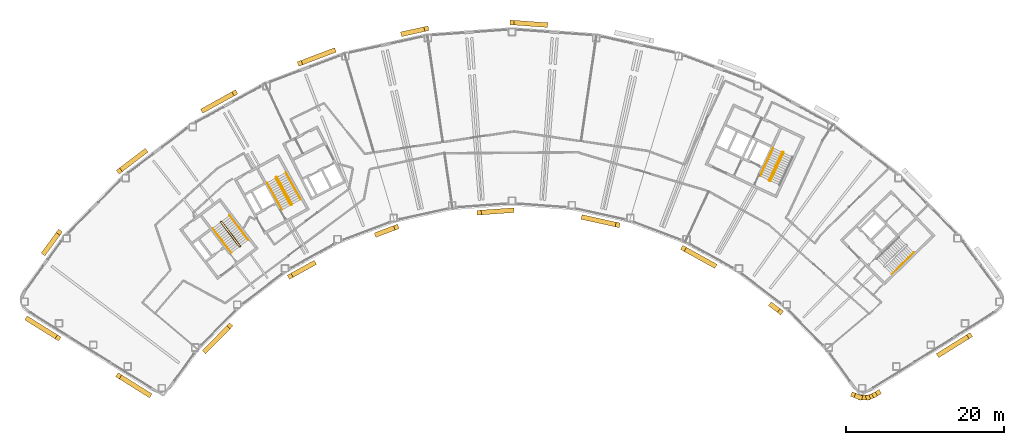
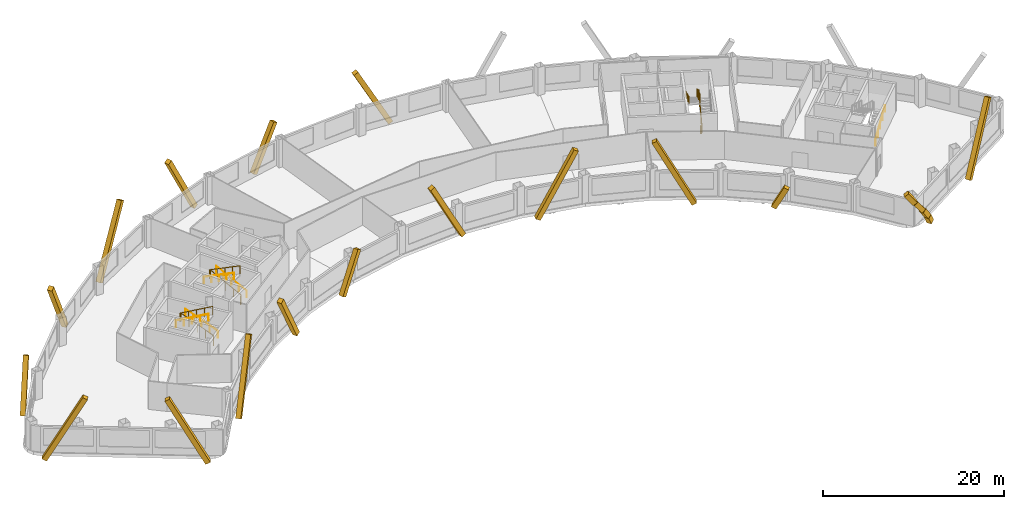
# One storey, part 11 of 12: 20 coverings, 9 railings.
"""IFC4 building model written with IfcOpenShell, lengths in metres."""

from ifc_helpers import new_model, si_unit, direction, frame, origin, origin_2d, place, context, subcontext, project, spatial, rectangle, circle, extrude, material, material_profile, profile_set, type_object, element, save


model = new_model("IFC4")

# Units and contexts
model_context = context("Model", 3, precision=1e-05, world=origin(), true_north=direction((0.0, 1.0)))
body_context = subcontext(model_context, "Body", "Model", "MODEL_VIEW")
ifc_project = project(units=[si_unit("LENGTHUNIT", "METRE"), si_unit("AREAUNIT", "SQUARE_METRE"), si_unit("VOLUMEUNIT", "CUBIC_METRE"), si_unit("PLANEANGLEUNIT", "RADIAN"), si_unit("MASSUNIT", "GRAM", prefix="KILO")], contexts=[model_context])

# Site, building, storey
site_placement = place(None, origin())
site = spatial("IfcSite", under=ifc_project, at=site_placement, CompositionType="ELEMENT")
building_placement = place(site_placement, origin())
building = spatial("IfcBuilding", under=site, at=building_placement, Name="Tuul Gate Civic Tower", CompositionType="ELEMENT")
storey_placement = place(building_placement, frame((0.0, 0.0, 172.10009765625)))
storey = spatial("IfcBuildingStorey", under=building, at=storey_placement, Name="Level 39", CompositionType="ELEMENT", Elevation=172.10009765625)

# Railings
ifc_material_1 = material(Name="Painted steel", Category="steel")
railing_type_1 = type_object("IfcRailingType", Name="Stair guard", PredefinedType="GUARDRAIL", material=ifc_material_1)
railing_1_placement = place(storey_placement, frame((-33.382080078125, -13.515380859375, 0.0)))
element("IfcRailing", 1, at=railing_1_placement, inside=storey, type_object=railing_type_1, Name="Level 39 ST-1 stair guard 1", PredefinedType="GUARDRAIL", context=body_context, shape_type="SweptSolid", body=[
    extrude(circle(Radius=0.02392578125, at=origin_2d()), frame((0.0, 0.0, 1.076171875), z_axis=(-0.795879841968, -0.605454603706, 0.0), x_axis=(0.605454603706, -0.795879841968, 0.0)), (0.0, 0.0, 1.0), 0.10009765625),
    extrude(circle(Radius=0.02392578125, at=origin_2d()), frame((-0.07958984375, -0.060546875, 1.076171875), z_axis=(0.408991890351, 0.599481263939, 0.688002796371), x_axis=(-0.826063974707, 0.563576356576, 0.0)), (0.0, 0.0, 1.0), 0.2177734375),
    extrude(circle(Radius=0.02392578125, at=origin_2d()), frame((0.009521484375, 0.070068359375, 1.22607421875), z_axis=(-0.541824460341, 0.711645023348, 0.447199748346), x_axis=(-0.795637165283, -0.60577347352, 0.0)), (0.0, 0.0, 1.0), 4.3603515625),
    extrude(circle(Radius=0.02392578125, at=origin_2d()), frame((-2.35302734375, 3.173095703125, 3.17578125), z_axis=(-0.990893089246, 0.134650977284, 0.0), x_axis=(-0.134650977284, -0.990893089246, 0.0)), (0.0, 0.0, 1.0), 0.07080078125),
    extrude(circle(Radius=0.02392578125, at=origin_2d()), frame((-2.423095703125, 3.1826171875, 3.17578125), z_axis=(-0.793802879778, -0.60817512943, 0.0), x_axis=(0.60817512943, -0.793802879778, 0.0)), (0.0, 0.0, 1.0), 0.099853515625),
    extrude(circle(Radius=0.02392578125, at=origin_2d()), frame((-2.50244140625, 3.121826171875, 3.17578125), z_axis=(-0.057370624079, -0.422188951554, 0.904690610473), x_axis=(0.990893089246, -0.134650977284, 0.0)), (0.0, 0.0, 1.0), 0.166015625),
    extrude(circle(Radius=0.02392578125, at=origin_2d()), frame((-2.511962890625, 3.0517578125, 3.326171875), z_axis=(0.541806494602, -0.71163897684, 0.447231136047), x_axis=(0.795644365679, 0.605764016233, 0.0)), (0.0, 0.0, 1.0), 4.360107421875),
    extrude(circle(Radius=0.02099609375, at=origin_2d()), origin(), (0.0, 0.0, 1.0), 1.052001953125),
    extrude(circle(Radius=0.02099609375, at=origin_2d()), frame((-0.07958984375, -0.060546875, 0.0)), (0.0, 0.0, 1.0), 1.052001953125),
    extrude(circle(Radius=0.02099609375, at=origin_2d()), frame((0.009521484375, 0.070068359375, 0.14990234375)), (0.0, 0.0, 1.0), 1.052001953125),
    extrude(circle(Radius=0.02099609375, at=origin_2d()), frame((-0.5810546875, 0.845703125, 0.637451171875)), (0.0, 0.0, 1.0), 1.052001953125),
    extrude(circle(Radius=0.02099609375, at=origin_2d()), frame((-1.171875, 1.62158203125, 1.125)), (0.0, 0.0, 1.0), 1.052001953125),
    extrude(circle(Radius=0.02099609375, at=origin_2d()), frame((-1.762451171875, 2.3974609375, 1.6123046875)), (0.0, 0.0, 1.0), 1.052001953125),
    extrude(circle(Radius=0.02099609375, at=origin_2d()), frame((-2.35302734375, 3.173095703125, 2.099853515625)), (0.0, 0.0, 1.0), 1.052001953125),
    extrude(circle(Radius=0.02099609375, at=origin_2d()), frame((-2.423095703125, 3.1826171875, 2.099853515625)), (0.0, 0.0, 1.0), 1.052001953125),
    extrude(circle(Radius=0.02099609375, at=origin_2d()), frame((-2.50244140625, 3.121826171875, 2.099853515625)), (0.0, 0.0, 1.0), 1.052001953125),
    extrude(circle(Radius=0.02099609375, at=origin_2d()), frame((-2.511962890625, 3.0517578125, 2.25)), (0.0, 0.0, 1.0), 1.052001953125),
    extrude(circle(Radius=0.02099609375, at=origin_2d()), frame((-1.92138671875, 2.276123046875, 2.737548828125)), (0.0, 0.0, 1.0), 1.052001953125),
    extrude(circle(Radius=0.02099609375, at=origin_2d()), frame((-1.330810546875, 1.50048828125, 3.22509765625)), (0.0, 0.0, 1.0), 1.052001953125),
    extrude(circle(Radius=0.02099609375, at=origin_2d()), frame((-0.740234375, 0.724609375, 3.71240234375)), (0.0, 0.0, 1.0), 1.052001953125),
    extrude(circle(Radius=0.02099609375, at=origin_2d()), frame((-0.149658203125, -0.051025390625, 4.199951171875)), (0.0, 0.0, 1.0), 1.052001953125),
])
railing_2_placement = place(storey_placement, frame((-26.857666015625, -8.247314453125, 0.0)))
element("IfcRailing", 2, at=railing_2_placement, inside=storey, type_object=railing_type_1, Name="Level 39 ST-2 stair guard 1", PredefinedType="GUARDRAIL", context=body_context, shape_type="SweptSolid", body=[
    extrude(circle(Radius=0.02392578125, at=origin_2d()), frame((0.0, 0.0, 1.076171875), z_axis=(-0.874616555828, -0.48481530532, 0.0), x_axis=(0.48481530532, -0.874616555828, 0.0)), (0.0, 0.0, 1.0), 0.10009765625),
    extrude(circle(Radius=0.02392578125, at=origin_2d()), frame((-0.087646484375, -0.048583984375, 1.076171875), z_axis=(0.49081399482, 0.534516610797, 0.688036056665), x_axis=(-0.736576986774, 0.676353711126, 0.0)), (0.0, 0.0, 1.0), 0.2177734375),
    extrude(circle(Radius=0.02392578125, at=origin_2d()), frame((0.019287109375, 0.06787109375, 1.22607421875), z_axis=(-0.43354991378, 0.782327185242, 0.447212083348), x_axis=(-0.874667644053, -0.484723129681, 0.0)), (0.0, 0.0, 1.0), 4.3603515625),
    extrude(circle(Radius=0.02392578125, at=origin_2d()), frame((-1.87109375, 3.47900390625, 3.17578125), z_axis=(-0.961263487578, 0.275631107549, 0.0), x_axis=(-0.275631107549, -0.961263487578, 0.0)), (0.0, 0.0, 1.0), 0.07080078125),
    extrude(circle(Radius=0.02392578125, at=origin_2d()), frame((-1.939208984375, 3.49853515625, 3.17578125), z_axis=(-0.874042088414, -0.485850211157, 0.0), x_axis=(0.485850211157, -0.874042088414, 0.0)), (0.0, 0.0, 1.0), 0.10009765625),
    extrude(circle(Radius=0.02392578125, at=origin_2d()), frame((-2.026611328125, 3.449951171875, 3.17578125), z_axis=(-0.117709570447, -0.409040757305, 0.904892322815), x_axis=(0.961000426733, -0.276546885391, 0.0)), (0.0, 0.0, 1.0), 0.166015625),
    extrude(circle(Radius=0.02392578125, at=origin_2d()), frame((-2.046142578125, 3.382080078125, 3.326171875), z_axis=(0.433595379963, -0.782308193291, 0.447201226726), x_axis=(0.874641102302, 0.484771020343, 0.0)), (0.0, 0.0, 1.0), 4.3603515625),
    extrude(circle(Radius=0.02099609375, at=origin_2d()), origin(), (0.0, 0.0, 1.0), 1.052001953125),
    extrude(circle(Radius=0.02099609375, at=origin_2d()), frame((-0.087646484375, -0.048583984375, 0.0)), (0.0, 0.0, 1.0), 1.052001953125),
    extrude(circle(Radius=0.02099609375, at=origin_2d()), frame((0.019287109375, 0.06787109375, 0.14990234375)), (0.0, 0.0, 1.0), 1.052001953125),
    extrude(circle(Radius=0.02099609375, at=origin_2d()), frame((-0.453369140625, 0.920654296875, 0.637451171875)), (0.0, 0.0, 1.0), 1.052001953125),
    extrude(circle(Radius=0.02099609375, at=origin_2d()), frame((-0.92578125, 1.7734375, 1.125)), (0.0, 0.0, 1.0), 1.052001953125),
    extrude(circle(Radius=0.02099609375, at=origin_2d()), frame((-1.3984375, 2.626220703125, 1.6123046875)), (0.0, 0.0, 1.0), 1.052001953125),
    extrude(circle(Radius=0.02099609375, at=origin_2d()), frame((-1.87109375, 3.47900390625, 2.099853515625)), (0.0, 0.0, 1.0), 1.052001953125),
    extrude(circle(Radius=0.02099609375, at=origin_2d()), frame((-1.939208984375, 3.49853515625, 2.099853515625)), (0.0, 0.0, 1.0), 1.052001953125),
    extrude(circle(Radius=0.02099609375, at=origin_2d()), frame((-2.026611328125, 3.449951171875, 2.099853515625)), (0.0, 0.0, 1.0), 1.052001953125),
    extrude(circle(Radius=0.02099609375, at=origin_2d()), frame((-2.046142578125, 3.382080078125, 2.25)), (0.0, 0.0, 1.0), 1.052001953125),
    extrude(circle(Radius=0.02099609375, at=origin_2d()), frame((-1.573486328125, 2.529296875, 2.737548828125)), (0.0, 0.0, 1.0), 1.052001953125),
    extrude(circle(Radius=0.02099609375, at=origin_2d()), frame((-1.100830078125, 1.676513671875, 3.22509765625)), (0.0, 0.0, 1.0), 1.052001953125),
    extrude(circle(Radius=0.02099609375, at=origin_2d()), frame((-0.628173828125, 0.82373046875, 3.71240234375)), (0.0, 0.0, 1.0), 1.052001953125),
    extrude(circle(Radius=0.02099609375, at=origin_2d()), frame((-0.155517578125, -0.029052734375, 4.199951171875)), (0.0, 0.0, 1.0), 1.052001953125),
])
railing_3_placement = place(storey_placement, frame((33.645751953125, -5.238525390625, 0.0)))
element("IfcRailing", 3, at=railing_3_placement, inside=storey, type_object=railing_type_1, Name="Level 39 ST-4 stair guard 1", PredefinedType="GUARDRAIL", context=body_context, shape_type="SweptSolid", body=[
    extrude(circle(Radius=0.02392578125, at=origin_2d()), frame((0.0, 0.0, 1.076171875), z_axis=(-0.906307919131, 0.422617978463, 0.0), x_axis=(-0.422617978463, -0.906307919131, 0.0)), (0.0, 0.0, 1.0), 0.099853515625),
    extrude(circle(Radius=0.02392578125, at=origin_2d()), frame((-0.090576171875, 0.042236328125, 1.076171875), z_axis=(0.720735628292, -0.082946246491, 0.688229666829), x_axis=(0.114330889033, 0.993442724979, 0.0)), (0.0, 0.0, 1.0), 0.2177734375),
    extrude(circle(Radius=0.02392578125, at=origin_2d()), frame((0.06640625, 0.024169921875, 1.22607421875), z_axis=(0.377946903738, 0.810654114417, 0.447209173356), x_axis=(-0.906336612539, 0.422556439746, 0.0)), (0.0, 0.0, 1.0), 4.3603515625),
    extrude(circle(Radius=0.02392578125, at=origin_2d()), frame((1.71435546875, 3.558837890625, 3.17578125), z_axis=(-0.342020437038, 0.939692513883, 0.0), x_axis=(-0.939692513883, -0.342020437038, 0.0)), (0.0, 0.0, 1.0), 0.070556640625),
    extrude(circle(Radius=0.02392578125, at=origin_2d()), frame((1.690185546875, 3.625244140625, 3.17578125), z_axis=(-0.906307919131, 0.422617978463, 0.0), x_axis=(-0.422617978463, -0.906307919131, 0.0)), (0.0, 0.0, 1.0), 0.099853515625),
    extrude(circle(Radius=0.02392578125, at=origin_2d()), frame((1.599609375, 3.66748046875, 3.17578125), z_axis=(-0.400168791901, -0.145649670582, 0.904793408159), x_axis=(0.342020437038, -0.939692513883, 0.0)), (0.0, 0.0, 1.0), 0.166015625),
    extrude(circle(Radius=0.02392578125, at=origin_2d()), frame((1.533203125, 3.643310546875, 3.326171875), z_axis=(-0.377946903738, -0.810654114417, 0.447209173356), x_axis=(0.906336612539, -0.422556439746, 0.0)), (0.0, 0.0, 1.0), 4.3603515625),
    extrude(circle(Radius=0.02099609375, at=origin_2d()), origin(), (0.0, 0.0, 1.0), 1.052001953125),
    extrude(circle(Radius=0.02099609375, at=origin_2d()), frame((-0.090576171875, 0.042236328125, 0.0)), (0.0, 0.0, 1.0), 1.052001953125),
    extrude(circle(Radius=0.02099609375, at=origin_2d()), frame((0.06640625, 0.024169921875, 0.14990234375)), (0.0, 0.0, 1.0), 1.052001953125),
    extrude(circle(Radius=0.02099609375, at=origin_2d()), frame((0.478515625, 0.90771484375, 0.637451171875)), (0.0, 0.0, 1.0), 1.052001953125),
    extrude(circle(Radius=0.02099609375, at=origin_2d()), frame((0.890380859375, 1.79150390625, 1.125)), (0.0, 0.0, 1.0), 1.052001953125),
    extrude(circle(Radius=0.02099609375, at=origin_2d()), frame((1.30224609375, 2.67529296875, 1.6123046875)), (0.0, 0.0, 1.0), 1.052001953125),
    extrude(circle(Radius=0.02099609375, at=origin_2d()), frame((1.71435546875, 3.558837890625, 2.099853515625)), (0.0, 0.0, 1.0), 1.052001953125),
    extrude(circle(Radius=0.02099609375, at=origin_2d()), frame((1.690185546875, 3.625244140625, 2.099853515625)), (0.0, 0.0, 1.0), 1.052001953125),
    extrude(circle(Radius=0.02099609375, at=origin_2d()), frame((1.599609375, 3.66748046875, 2.099853515625)), (0.0, 0.0, 1.0), 1.052001953125),
    extrude(circle(Radius=0.02099609375, at=origin_2d()), frame((1.533203125, 3.643310546875, 2.25)), (0.0, 0.0, 1.0), 1.052001953125),
    extrude(circle(Radius=0.02099609375, at=origin_2d()), frame((1.12109375, 2.759765625, 2.737548828125)), (0.0, 0.0, 1.0), 1.052001953125),
    extrude(circle(Radius=0.02099609375, at=origin_2d()), frame((0.709228515625, 1.8759765625, 3.22509765625)), (0.0, 0.0, 1.0), 1.052001953125),
    extrude(circle(Radius=0.02099609375, at=origin_2d()), frame((0.29736328125, 0.9921875, 3.71240234375)), (0.0, 0.0, 1.0), 1.052001953125),
    extrude(circle(Radius=0.02099609375, at=origin_2d()), frame((-0.11474609375, 0.108642578125, 4.199951171875)), (0.0, 0.0, 1.0), 1.052001953125),
])
ifc_material_2 = material(Name="Painted steel", Category="steel")
railing_type_2 = type_object("IfcRailingType", Name="Stair handrail", PredefinedType="HANDRAIL", material=ifc_material_2)
railing_4_placement = place(storey_placement, frame((-32.3779296875, -12.688232421875, 0.14990234375)))
element("IfcRailing", 4, at=railing_4_placement, inside=storey, type_object=railing_type_2, Name="Level 39 ST-1 stair handrail 1", PredefinedType="HANDRAIL", context=body_context, shape_type="SweptSolid", body=[
    extrude(circle(Radius=0.02392578125, at=origin_2d()), frame((0.0, 0.0, 0.8759765625), z_axis=(-0.541824460341, 0.711645023348, 0.447199748346), x_axis=(-0.795637165283, -0.60577347352, 0.0)), (0.0, 0.0, 1.0), 4.3603515625),
    extrude(circle(Radius=0.02099609375, at=origin_2d()), origin(), (0.0, 0.0, 1.0), 0.851806640625),
    extrude(circle(Radius=0.02099609375, at=origin_2d()), frame((-0.590576171875, 0.77587890625, 0.487548828125)), (0.0, 0.0, 1.0), 0.851806640625),
    extrude(circle(Radius=0.02099609375, at=origin_2d()), frame((-1.18115234375, 1.551513671875, 0.97509765625)), (0.0, 0.0, 1.0), 0.851806640625),
    extrude(circle(Radius=0.02099609375, at=origin_2d()), frame((-1.77197265625, 2.3271484375, 1.46240234375)), (0.0, 0.0, 1.0), 0.851806640625),
    extrude(circle(Radius=0.02099609375, at=origin_2d()), frame((-2.362548828125, 3.10302734375, 1.949951171875)), (0.0, 0.0, 1.0), 0.851806640625),
])
railing_5_placement = place(storey_placement, frame((-36.888671875, -11.220703125, 2.25)))
element("IfcRailing", 5, at=railing_5_placement, inside=storey, type_object=railing_type_2, Name="Level 39 ST-1 stair handrail 2", PredefinedType="HANDRAIL", context=body_context, shape_type="SweptSolid", body=[
    extrude(circle(Radius=0.02392578125, at=origin_2d()), frame((0.0, 0.0, 0.8759765625), z_axis=(0.541824460341, -0.711645023348, 0.447199748346), x_axis=(0.795637165283, 0.60577347352, 0.0)), (0.0, 0.0, 1.0), 4.3603515625),
    extrude(circle(Radius=0.02099609375, at=origin_2d()), origin(), (0.0, 0.0, 1.0), 0.851806640625),
    extrude(circle(Radius=0.02099609375, at=origin_2d()), frame((0.590576171875, -0.77587890625, 0.487548828125)), (0.0, 0.0, 1.0), 0.851806640625),
    extrude(circle(Radius=0.02099609375, at=origin_2d()), frame((1.18115234375, -1.551513671875, 0.97509765625)), (0.0, 0.0, 1.0), 0.851806640625),
    extrude(circle(Radius=0.02099609375, at=origin_2d()), frame((1.77197265625, -2.3271484375, 1.46240234375)), (0.0, 0.0, 1.0), 0.851806640625),
    extrude(circle(Radius=0.02099609375, at=origin_2d()), frame((2.362548828125, -3.10302734375, 1.949951171875)), (0.0, 0.0, 1.0), 0.851806640625),
])
railing_6_placement = place(storey_placement, frame((-25.744873046875, -7.573486328125, 0.14990234375)))
element("IfcRailing", 6, at=railing_6_placement, inside=storey, type_object=railing_type_2, Name="Level 39 ST-2 stair handrail 1", PredefinedType="HANDRAIL", context=body_context, shape_type="SweptSolid", body=[
    extrude(circle(Radius=0.02392578125, at=origin_2d()), frame((0.0, 0.0, 0.8759765625), z_axis=(-0.433595379963, 0.782308193291, 0.447201226726), x_axis=(-0.874641102302, -0.484771020343, 0.0)), (0.0, 0.0, 1.0), 4.3603515625),
    extrude(circle(Radius=0.02099609375, at=origin_2d()), origin(), (0.0, 0.0, 1.0), 0.851806640625),
    extrude(circle(Radius=0.02099609375, at=origin_2d()), frame((-0.47265625, 0.852783203125, 0.487548828125)), (0.0, 0.0, 1.0), 0.851806640625),
    extrude(circle(Radius=0.02099609375, at=origin_2d()), frame((-0.9453125, 1.70556640625, 0.97509765625)), (0.0, 0.0, 1.0), 0.851806640625),
    extrude(circle(Radius=0.02099609375, at=origin_2d()), frame((-1.41796875, 2.558349609375, 1.46240234375)), (0.0, 0.0, 1.0), 0.851806640625),
    extrude(circle(Radius=0.02099609375, at=origin_2d()), frame((-1.890625, 3.4111328125, 1.949951171875)), (0.0, 0.0, 1.0), 0.851806640625),
])
railing_7_placement = place(storey_placement, frame((-29.9970703125, -5.47119140625, 2.25)))
element("IfcRailing", 7, at=railing_7_placement, inside=storey, type_object=railing_type_2, Name="Level 39 ST-2 stair handrail 2", PredefinedType="HANDRAIL", context=body_context, shape_type="SweptSolid", body=[
    extrude(circle(Radius=0.02392578125, at=origin_2d()), frame((0.0, 0.0, 0.8759765625), z_axis=(0.433595379963, -0.782308193291, 0.447201226726), x_axis=(0.874641102302, 0.484771020343, 0.0)), (0.0, 0.0, 1.0), 4.3603515625),
    extrude(circle(Radius=0.02099609375, at=origin_2d()), origin(), (0.0, 0.0, 1.0), 0.851806640625),
    extrude(circle(Radius=0.02099609375, at=origin_2d()), frame((0.47265625, -0.852783203125, 0.487548828125)), (0.0, 0.0, 1.0), 0.851806640625),
    extrude(circle(Radius=0.02099609375, at=origin_2d()), frame((0.9453125, -1.70556640625, 0.97509765625)), (0.0, 0.0, 1.0), 0.851806640625),
    extrude(circle(Radius=0.02099609375, at=origin_2d()), frame((1.41796875, -2.558349609375, 1.46240234375)), (0.0, 0.0, 1.0), 0.851806640625),
    extrude(circle(Radius=0.02099609375, at=origin_2d()), frame((1.890625, -3.4111328125, 1.949951171875)), (0.0, 0.0, 1.0), 0.851806640625),
])
railing_8_placement = place(storey_placement, frame((49.05126953125, -17.028076171875, 0.14990234375)))
element("IfcRailing", 8, at=railing_8_placement, inside=storey, type_object=railing_type_2, Name="Level 39 ST-3 stair handrail 1", PredefinedType="HANDRAIL", context=body_context, shape_type="SweptSolid", body=[
    extrude(circle(Radius=0.02392578125, at=origin_2d()), frame((0.0, 0.0, 0.8759765625), z_axis=(0.638753653487, 0.626099522554, 0.447205945863), x_axis=(-0.699997553204, 0.714145241186, 0.0)), (0.0, 0.0, 1.0), 4.3603515625),
    extrude(circle(Radius=0.02099609375, at=origin_2d()), origin(), (0.0, 0.0, 1.0), 0.851806640625),
    extrude(circle(Radius=0.02099609375, at=origin_2d()), frame((0.6962890625, 0.6826171875, 0.487548828125)), (0.0, 0.0, 1.0), 0.851806640625),
    extrude(circle(Radius=0.02099609375, at=origin_2d()), frame((1.392578125, 1.364990234375, 0.97509765625)), (0.0, 0.0, 1.0), 0.851806640625),
    extrude(circle(Radius=0.02099609375, at=origin_2d()), frame((2.0888671875, 2.04736328125, 1.46240234375)), (0.0, 0.0, 1.0), 0.851806640625),
    extrude(circle(Radius=0.02099609375, at=origin_2d()), frame((2.78515625, 2.72998046875, 1.949951171875)), (0.0, 0.0, 1.0), 0.851806640625),
])
railing_9_placement = place(storey_placement, frame((34.046142578125, -1.06689453125, 2.25)))
element("IfcRailing", 9, at=railing_9_placement, inside=storey, type_object=railing_type_2, Name="Level 39 ST-4 stair handrail 2", PredefinedType="HANDRAIL", context=body_context, shape_type="SweptSolid", body=[
    extrude(circle(Radius=0.02392578125, at=origin_2d()), frame((0.0, 0.0, 0.8759765625), z_axis=(-0.377994896215, -0.810636958585, 0.447199709091), x_axis=(0.906312636903, -0.422607861012, 0.0)), (0.0, 0.0, 1.0), 4.3603515625),
    extrude(circle(Radius=0.02099609375, at=origin_2d()), origin(), (0.0, 0.0, 1.0), 0.851806640625),
    extrude(circle(Radius=0.02099609375, at=origin_2d()), frame((-0.412109375, -0.8837890625, 0.487548828125)), (0.0, 0.0, 1.0), 0.851806640625),
    extrude(circle(Radius=0.02099609375, at=origin_2d()), frame((-0.82421875, -1.767333984375, 0.97509765625)), (0.0, 0.0, 1.0), 0.851806640625),
    extrude(circle(Radius=0.02099609375, at=origin_2d()), frame((-1.236083984375, -2.65087890625, 1.46240234375)), (0.0, 0.0, 1.0), 0.851806640625),
    extrude(circle(Radius=0.02099609375, at=origin_2d()), frame((-1.648193359375, -3.53466796875, 1.949951171875)), (0.0, 0.0, 1.0), 0.851806640625),
])

# Coverings
ifc_material_3 = material(Name="Terracotta baguette", Category="masonry")
ifc_material_profile = material_profile(ifc_material_3, rectangle(XDim=0.60009765625, YDim=0.60009765625, at=origin_2d()), Name="Terracotta baguette screen frame")
ifc_profile_set = profile_set([ifc_material_profile], Name="Terracotta baguette")
covering_type = type_object("IfcCoveringType", Name="Terracotta baguette screen frame", PredefinedType="CLADDING", material=ifc_profile_set)
covering_1_placement = place(storey_placement, frame((55.052490234375, -27.20849609375, -0.35009765625), z_axis=(0.402293025591, 0.251385166726, 0.880321429656), x_axis=(-0.529926214669, 0.848043753002, 0.0)))
element("IfcCovering", 10, at=covering_1_placement, inside=storey, type_object=covering_type, Name="Baguette 1", PredefinedType="CLADDING", context=body_context, shape_type="SweptSolid", body=[
    extrude(rectangle(XDim=0.60009765625, YDim=0.60009765625, at=origin_2d()), origin(), (0.0, 0.0, 1.0), 9.541748046875),
])
covering_2_placement = place(storey_placement, frame((0.989990234375, 14.819091796875, 7.551513671875), z_axis=(0.473919146145, -0.034336844974, -0.87989864416), x_axis=(0.072263537098, 0.997385572989, 0.0)))
element("IfcCovering", 11, at=covering_2_placement, inside=storey, type_object=covering_type, Name="Baguette 74", PredefinedType="CLADDING", context=body_context, shape_type="SweptSolid", body=[
    extrude(rectangle(XDim=0.60009765625, YDim=0.60009765625, at=origin_2d()), origin(), (0.0, 0.0, 1.0), 8.980224609375),
])
covering_3_placement = place(storey_placement, frame((-9.83349609375, 14.03515625, 5.253662109375), z_axis=(-0.464008503472, -0.102278146667, -0.879906409467), x_axis=(0.215255779453, -0.976557704087, 0.0)))
element("IfcCovering", 12, at=covering_3_placement, inside=storey, type_object=covering_type, Name="Baguette 80", PredefinedType="CLADDING", context=body_context, shape_type="SweptSolid", body=[
    extrude(rectangle(XDim=0.60009765625, YDim=0.60009765625, at=origin_2d()), origin(), (0.0, 0.0, 1.0), 6.36865234375),
])
for number, where, z_axis, x_axis, name in (
    (13, (-25.83984375, 9.653564453125, 8.0498046875), (0.444447097075, 0.168096597565, -0.879892216006), (-0.353758489664, 0.935336800832, 0.0), "Baguette 95"),
    (14, (-34.08251953125, 5.91943359375, 8.0498046875), (-0.415599156496, -0.23036842051, -0.879890750009), (0.484806475071, -0.874621450531, 0.0), "Baguette 101"),
):
    element("IfcCovering", number, at=place(storey_placement, frame(where, z_axis=z_axis, x_axis=x_axis)), inside=storey, type_object=covering_type, Name=name, PredefinedType="CLADDING", context=body_context, shape_type="SweptSolid", body=[
        extrude(rectangle(XDim=0.60009765625, YDim=0.60009765625, at=origin_2d()), origin(), (0.0, 0.0, 1.0), 9.546630859375),
    ])
covering_4_placement = place(storey_placement, frame((-48.70361328125, -3.97314453125, 7.220703125), z_axis=(0.378060731421, 0.287858459942, -0.879890669571), x_axis=(-0.605793108402, 0.79562221551, 0.0)))
element("IfcCovering", 15, at=covering_4_placement, inside=storey, type_object=covering_type, Name="Baguette 116", PredefinedType="CLADDING", context=body_context, shape_type="SweptSolid", body=[
    extrude(rectangle(XDim=0.60009765625, YDim=0.60009765625, at=origin_2d()), origin(), (0.0, 0.0, 1.0), 8.604248046875),
])
covering_5_placement = place(storey_placement, frame((-56.299560546875, -11.7216796875, 5.585693359375), z_axis=(-0.281341633683, -0.385267780007, -0.878871789765), x_axis=(0.807590994458, -0.589742982723, 0.0)))
element("IfcCovering", 16, at=covering_5_placement, inside=storey, type_object=covering_type, Name="Baguette 122", PredefinedType="CLADDING", context=body_context, shape_type="SweptSolid", body=[
    extrude(rectangle(XDim=0.60009765625, YDim=0.60009765625, at=origin_2d()), origin(), (0.0, 0.0, 1.0), 6.75390625),
])
for number, where, z_axis, x_axis, name in (
    (17, (-56.455810546875, -25.094482421875, 8.0498046875), (-0.402293025591, 0.251385166726, -0.880321429656), (-0.529926214669, -0.848043753002, 0.0), "Baguette 149"),
    (18, (-48.778076171875, -29.891845703125, 8.0498046875), (0.402295613037, -0.25136119713, -0.880327091659), (0.529887423043, 0.848067991909, 0.0), "Baguette 153"),
):
    element("IfcCovering", number, at=place(storey_placement, frame(where, z_axis=z_axis, x_axis=x_axis)), inside=storey, type_object=covering_type, Name=name, PredefinedType="CLADDING", context=body_context, shape_type="SweptSolid", body=[
        extrude(rectangle(XDim=0.60009765625, YDim=0.60009765625, at=origin_2d()), origin(), (0.0, 0.0, 1.0), 9.541748046875),
    ])
covering_6_placement = place(storey_placement, frame((-34.7177734375, -23.561767578125, 8.0498046875), z_axis=(-0.326356322385, -0.332861849455, -0.884700254333), x_axis=(0.714050130155, -0.700094573344, 0.0)))
element("IfcCovering", 19, at=covering_6_placement, inside=storey, type_object=covering_type, Name="Baguette 180", PredefinedType="CLADDING", context=body_context, shape_type="SweptSolid", body=[
    extrude(rectangle(XDim=0.60009765625, YDim=0.60009765625, at=origin_2d()), origin(), (0.0, 0.0, 1.0), 9.49462890625),
])
covering_7_placement = place(storey_placement, frame((-27.078857421875, -17.295654296875, 6.061767578125), z_axis=(0.407705257724, 0.226001369418, -0.88470322925), x_axis=(-0.484820540629, 0.874613653783, 0.0)))
element("IfcCovering", 20, at=covering_7_placement, inside=storey, type_object=covering_type, Name="Baguette 187", PredefinedType="CLADDING", context=body_context, shape_type="SweptSolid", body=[
    extrude(rectangle(XDim=0.60009765625, YDim=0.60009765625, at=origin_2d()), origin(), (0.0, 0.0, 1.0), 7.24755859375),
])
covering_8_placement = place(storey_placement, frame((-13.652587890625, -11.07568359375, 4.5947265625), z_axis=(-0.436017658414, -0.164893474305, -0.884702630087), x_axis=(0.353730371417, -0.935347435094, 0.0)))
element("IfcCovering", 21, at=covering_8_placement, inside=storey, type_object=covering_type, Name="Baguette 205", PredefinedType="CLADDING", context=body_context, shape_type="SweptSolid", body=[
    extrude(rectangle(XDim=0.60009765625, YDim=0.60009765625, at=origin_2d()), origin(), (0.0, 0.0, 1.0), 5.58935546875),
])
covering_9_placement = place(storey_placement, frame((-3.16259765625, -9.243896484375, 8.0498046875), z_axis=(0.464942517396, 0.033676828822, -0.884700133784), x_axis=(-0.072242980808, 0.99738706214, 0.0)))
element("IfcCovering", 22, at=covering_9_placement, inside=storey, type_object=covering_type, Name="Baguette 212", PredefinedType="CLADDING", context=body_context, shape_type="SweptSolid", body=[
    extrude(rectangle(XDim=0.60009765625, YDim=0.60009765625, at=origin_2d()), origin(), (0.0, 0.0, 1.0), 8.931396484375),
])
for number, where, z_axis, x_axis, name in (
    (23, (14.36767578125, -10.796875, 8.0498046875), (-0.455233015253, 0.100334343963, -0.884701034952), (-0.215236378617, -0.976561980276, 0.0), "Baguette 228"),
    (24, (22.6923828125, -13.7666015625, 8.0498046875), (0.407714066256, -0.225996400626, -0.884700439178), (0.484804374507, 0.87462261488, 0.0), "Baguette 236"),
):
    element("IfcCovering", number, at=place(storey_placement, frame(where, z_axis=z_axis, x_axis=x_axis)), inside=storey, type_object=covering_type, Name=name, PredefinedType="CLADDING", context=body_context, shape_type="SweptSolid", body=[
        extrude(rectangle(XDim=0.60009765625, YDim=0.60009765625, at=origin_2d()), origin(), (0.0, 0.0, 1.0), 9.49462890625),
    ])
covering_10_placement = place(storey_placement, frame((34.96044921875, -21.789794921875, 2.343505859375), z_axis=(-0.370864739668, 0.282418510943, -0.884702848163), x_axis=(-0.60584625249, -0.795581748372, 0.0)))
element("IfcCovering", 25, at=covering_10_placement, inside=storey, type_object=covering_type, Name="Baguette 251", PredefinedType="CLADDING", context=body_context, shape_type="SweptSolid", body=[
    extrude(rectangle(XDim=0.60009765625, YDim=0.60009765625, at=origin_2d()), origin(), (0.0, 0.0, 1.0), 3.044677734375),
])
covering_11_placement = place(storey_placement, frame((44.156005859375, -32.282470703125, 4.6123046875), z_axis=(0.559918287105, -0.222729092093, -0.798049662177), x_axis=(0.369618596292, 0.929183562745, 0.0)))
element("IfcCovering", 26, at=covering_11_placement, inside=storey, type_object=covering_type, Name="Baguette 260", PredefinedType="CLADDING", context=body_context, shape_type="SweptSolid", body=[
    extrude(rectangle(XDim=0.60009765625, YDim=0.60009765625, at=origin_2d()), origin(), (0.0, 0.0, 1.0), 1.61669921875),
])
covering_12_placement = place(storey_placement, frame((45.061279296875, -32.642578125, 3.322021484375), z_axis=(0.602776502716, -0.001813770821, -0.797908013501), x_axis=(0.003009013459, 0.999995472909, 0.0)))
element("IfcCovering", 27, at=covering_12_placement, inside=storey, type_object=covering_type, Name="Baguette 261", PredefinedType="CLADDING", context=body_context, shape_type="SweptSolid", body=[
    extrude(rectangle(XDim=0.60009765625, YDim=0.60009765625, at=origin_2d()), origin(), (0.0, 0.0, 1.0), 1.615234375),
])
covering_13_placement = place(storey_placement, frame((46.034912109375, -32.6455078125, 2.033203125), z_axis=(0.534010599825, 0.208015756909, -0.819488940836), x_axis=(-0.362969067807, 0.931801188997, 0.0)))
element("IfcCovering", 28, at=covering_13_placement, inside=storey, type_object=covering_type, Name="Baguette 262", PredefinedType="CLADDING", context=body_context, shape_type="SweptSolid", body=[
    extrude(rectangle(XDim=0.60009765625, YDim=0.60009765625, at=origin_2d()), origin(), (0.0, 0.0, 1.0), 1.57275390625),
])
covering_14_placement = place(storey_placement, frame((46.874755859375, -32.318359375, 0.744384765625), z_axis=(0.402352266006, 0.251347438013, -0.880305128603), x_axis=(-0.52981289744, 0.848114552231, 0.0)))
element("IfcCovering", 29, at=covering_14_placement, inside=storey, type_object=covering_type, Name="Baguette 263", PredefinedType="CLADDING", context=body_context, shape_type="SweptSolid", body=[
    extrude(rectangle(XDim=0.60009765625, YDim=0.60009765625, at=origin_2d()), origin(), (0.0, 0.0, 1.0), 1.243408203125),
])

save(model, "model.ifc")
